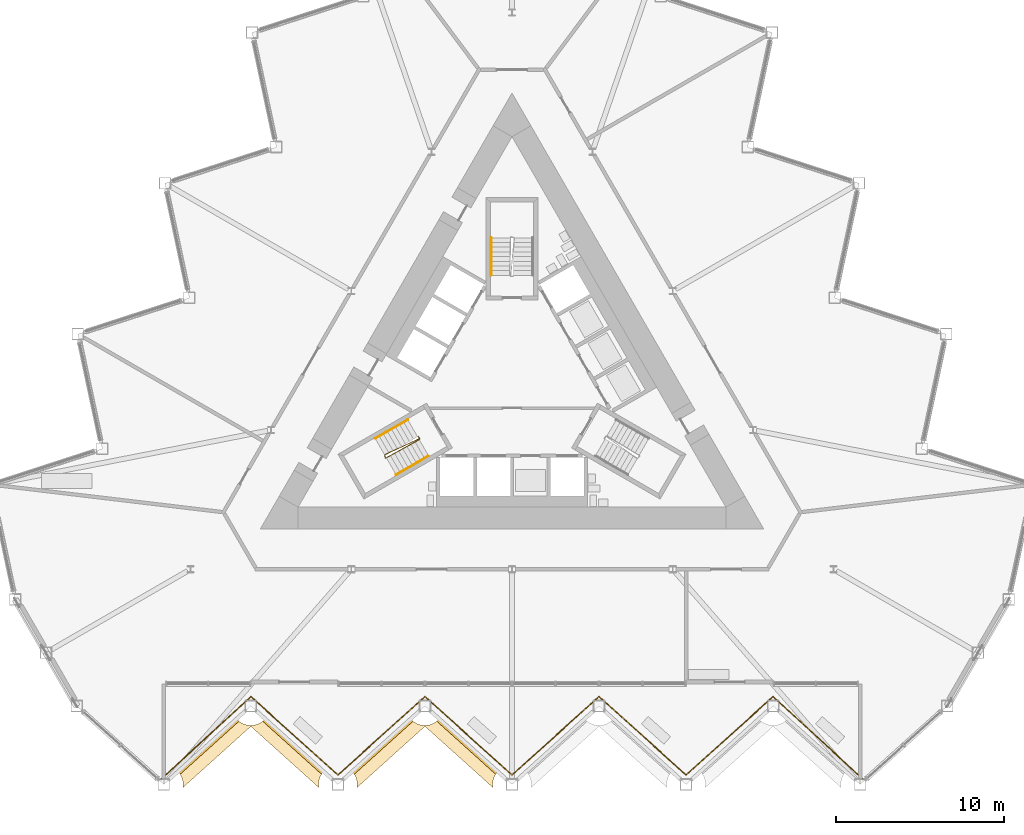
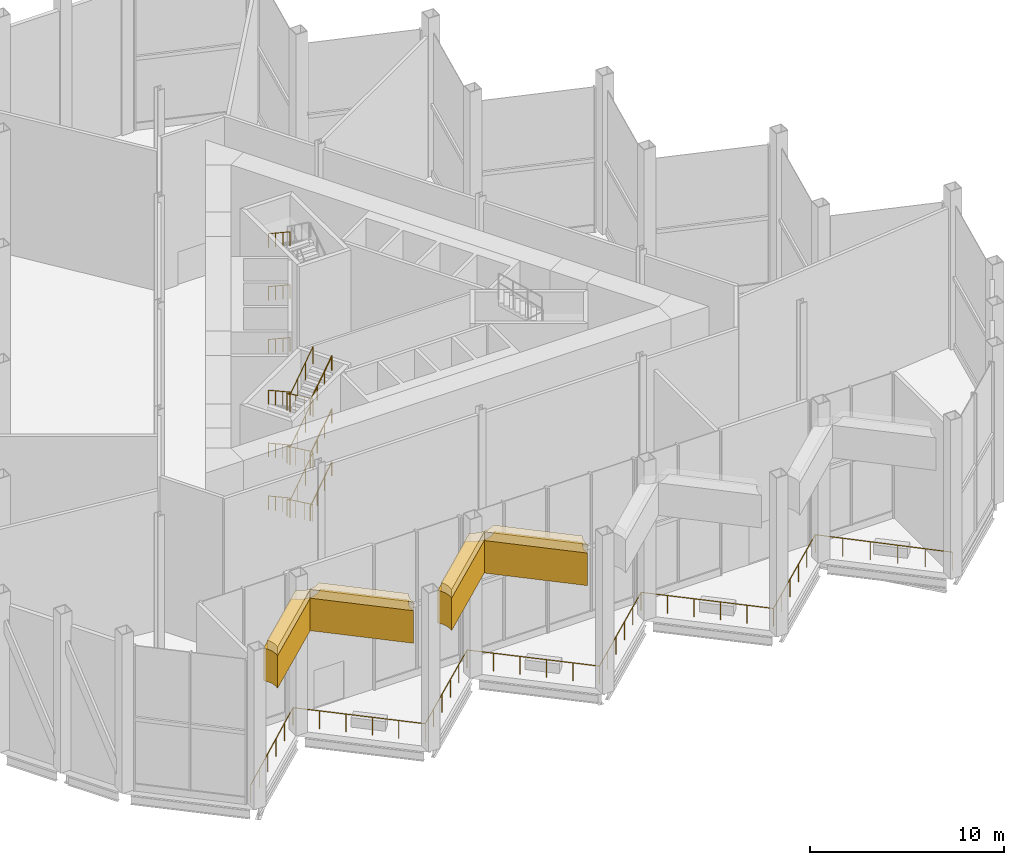
# One storey, part 14 of 17: 11 railings, 4 coverings.
"""IFC4 building model written with IfcOpenShell, lengths in metres."""

from ifc_helpers import new_model, si_unit, direction, frame, origin, origin_2d, place, context, subcontext, project, spatial, polyline, circle, outline, extrude, material, layer, layer_set, type_object, element, save


model = new_model("IFC4")

# Units and contexts
model_context = context("Model", 3, precision=1e-05, world=origin(), true_north=direction((0.0, 1.0)))
body_context = subcontext(model_context, "Body", "Model", "MODEL_VIEW")
ifc_project = project(units=[si_unit("LENGTHUNIT", "METRE"), si_unit("AREAUNIT", "SQUARE_METRE"), si_unit("VOLUMEUNIT", "CUBIC_METRE"), si_unit("PLANEANGLEUNIT", "RADIAN"), si_unit("MASSUNIT", "GRAM", prefix="KILO")], contexts=[model_context])

# Site, building, storey
site_placement = place(None, origin())
site = spatial("IfcSite", under=ifc_project, at=site_placement, CompositionType="ELEMENT")
building_placement = place(site_placement, origin())
building = spatial("IfcBuilding", under=site, at=building_placement, Name="Cormorant Prow Tower", CompositionType="ELEMENT")
storey_placement = place(building_placement, frame((0.0, 0.0, 277.800048828125)))
storey = spatial("IfcBuildingStorey", under=building, at=storey_placement, Name="L63", CompositionType="ELEMENT", Elevation=277.800048828125)

# Railings
ifc_material_1 = material(Name="Stainless steel", Category="steel")
railing_type_1 = type_object("IfcRailingType", Name="Stair guard 1100", PredefinedType="GUARDRAIL", material=ifc_material_1)
railing_1_placement = place(storey_placement, frame((-5.585205078125, -3.137939453125, 0.0)))
element("IfcRailing", 1, at=railing_1_placement, inside=storey, type_object=railing_type_1, Name="L63 ST1 stair guard 1", PredefinedType="GUARDRAIL", context=body_context, shape_type="SweptSolid", body=[
    extrude(circle(Radius=0.02392578125, at=origin_2d()), frame((0.0, 0.0, 1.076171875), z_axis=(0.501036270542, -0.865426285481, 0.0), x_axis=(0.865426285481, 0.501036270542, 0.0)), (0.0, 0.0, 1.0), 0.150146484375),
    extrude(circle(Radius=0.02392578125, at=origin_2d()), frame((0.0751953125, -0.1298828125, 1.076171875), z_axis=(-0.733711829474, -0.342307136193, 0.586935069494), x_axis=(0.422792438952, -0.906226546491, 0.0)), (0.0, 0.0, 1.0), 2.83935546875),
    extrude(circle(Radius=0.02392578125, at=origin_2d()), frame((-2.008056640625, -1.101806640625, 2.74267578125), z_axis=(0.275034262293, -0.961434425515, 0.0), x_axis=(0.961434425515, 0.275034262293, 0.0)), (0.0, 0.0, 1.0), 0.2060546875),
    extrude(circle(Radius=0.02392578125, at=origin_2d()), frame((-1.951416015625, -1.2998046875, 2.74267578125), z_axis=(0.708945260141, 0.388859836343, 0.588374579502), x_axis=(-0.480911908544, 0.87676891837, 0.0)), (0.0, 0.0, 1.0), 2.832763671875),
    extrude(circle(Radius=0.02392578125, at=origin_2d()), frame((0.056884765625, -0.1982421875, 4.4091796875), z_axis=(0.258736085224, 0.965948051503, 0.0), x_axis=(-0.965948051503, 0.258736085224, 0.0)), (0.0, 0.0, 1.0), 0.07080078125),
    extrude(circle(Radius=0.02392578125, at=origin_2d()), frame((0.0751953125, -0.1298828125, 4.4091796875), z_axis=(-0.733674800789, -0.342289860769, 0.586991429156), x_axis=(0.422792438952, -0.906226546491, 0.0)), (0.0, 0.0, 1.0), 2.83935546875),
    extrude(circle(Radius=0.02392578125, at=origin_2d()), frame((-2.008056640625, -1.101806640625, 6.076171875), z_axis=(0.275034262293, -0.961434425515, 0.0), x_axis=(0.961434425515, 0.275034262293, 0.0)), (0.0, 0.0, 1.0), 0.2060546875),
    extrude(circle(Radius=0.02392578125, at=origin_2d()), frame((-1.951416015625, -1.2998046875, 6.076171875), z_axis=(0.708981209556, 0.388879554767, 0.588318227137), x_axis=(-0.480911908544, 0.87676891837, 0.0)), (0.0, 0.0, 1.0), 2.832763671875),
    extrude(circle(Radius=0.02392578125, at=origin_2d()), frame((0.056884765625, -0.1982421875, 7.74267578125), z_axis=(0.258736085224, 0.965948051503, 0.0), x_axis=(-0.965948051503, 0.258736085224, 0.0)), (0.0, 0.0, 1.0), 0.07080078125),
    extrude(circle(Radius=0.02392578125, at=origin_2d()), frame((0.0751953125, -0.1298828125, 7.74267578125), z_axis=(-0.733674800789, -0.342289860769, 0.586991429156), x_axis=(0.422792438952, -0.906226546491, 0.0)), (0.0, 0.0, 1.0), 2.83935546875),
    extrude(circle(Radius=0.02392578125, at=origin_2d()), frame((-2.008056640625, -1.101806640625, 9.4091796875), z_axis=(0.275034262293, -0.961434425515, 0.0), x_axis=(0.961434425515, 0.275034262293, 0.0)), (0.0, 0.0, 1.0), 0.2060546875),
    extrude(circle(Radius=0.02392578125, at=origin_2d()), frame((-1.951416015625, -1.2998046875, 9.4091796875), z_axis=(0.708945260141, 0.388859836343, 0.588374579502), x_axis=(-0.480911908544, 0.87676891837, 0.0)), (0.0, 0.0, 1.0), 2.832763671875),
    extrude(circle(Radius=0.02099609375, at=origin_2d()), origin(), (0.0, 0.0, 1.0), 1.052001953125),
    extrude(circle(Radius=0.02099609375, at=origin_2d()), frame((0.0751953125, -0.1298828125, 0.0)), (0.0, 0.0, 1.0), 1.052001953125),
    extrude(circle(Radius=0.02099609375, at=origin_2d()), frame((-0.619140625, -0.453857421875, 0.555419921875)), (0.0, 0.0, 1.0), 1.052001953125),
    extrude(circle(Radius=0.02099609375, at=origin_2d()), frame((-1.313720703125, -0.77783203125, 1.111083984375)), (0.0, 0.0, 1.0), 1.052001953125),
    extrude(circle(Radius=0.02099609375, at=origin_2d()), frame((-2.008056640625, -1.101806640625, 1.66650390625)), (0.0, 0.0, 1.0), 1.052001953125),
    extrude(circle(Radius=0.02099609375, at=origin_2d()), frame((-1.951416015625, -1.2998046875, 1.66650390625)), (0.0, 0.0, 1.0), 1.052001953125),
    extrude(circle(Radius=0.02099609375, at=origin_2d()), frame((-1.281982421875, -0.9326171875, 2.22216796875)), (0.0, 0.0, 1.0), 1.052001953125),
    extrude(circle(Radius=0.02099609375, at=origin_2d()), frame((-0.612548828125, -0.5654296875, 2.777587890625)), (0.0, 0.0, 1.0), 1.052001953125),
    extrude(circle(Radius=0.02099609375, at=origin_2d()), frame((0.056884765625, -0.1982421875, 3.333251953125)), (0.0, 0.0, 1.0), 1.052001953125),
    extrude(circle(Radius=0.02099609375, at=origin_2d()), frame((0.0751953125, -0.1298828125, 3.333251953125)), (0.0, 0.0, 1.0), 1.052001953125),
    extrude(circle(Radius=0.02099609375, at=origin_2d()), frame((-0.619140625, -0.453857421875, 3.888916015625)), (0.0, 0.0, 1.0), 1.052001953125),
    extrude(circle(Radius=0.02099609375, at=origin_2d()), frame((-1.313720703125, -0.77783203125, 4.4443359375)), (0.0, 0.0, 1.0), 1.052001953125),
    extrude(circle(Radius=0.02099609375, at=origin_2d()), frame((-2.008056640625, -1.101806640625, 5.0)), (0.0, 0.0, 1.0), 1.052001953125),
    extrude(circle(Radius=0.02099609375, at=origin_2d()), frame((-1.951416015625, -1.2998046875, 5.0)), (0.0, 0.0, 1.0), 1.052001953125),
    extrude(circle(Radius=0.02099609375, at=origin_2d()), frame((-1.281982421875, -0.9326171875, 5.555419921875)), (0.0, 0.0, 1.0), 1.052001953125),
    extrude(circle(Radius=0.02099609375, at=origin_2d()), frame((-0.612548828125, -0.5654296875, 6.111083984375)), (0.0, 0.0, 1.0), 1.052001953125),
    extrude(circle(Radius=0.02099609375, at=origin_2d()), frame((0.056884765625, -0.1982421875, 6.66650390625)), (0.0, 0.0, 1.0), 1.052001953125),
    extrude(circle(Radius=0.02099609375, at=origin_2d()), frame((0.0751953125, -0.1298828125, 6.66650390625)), (0.0, 0.0, 1.0), 1.052001953125),
    extrude(circle(Radius=0.02099609375, at=origin_2d()), frame((-0.619140625, -0.453857421875, 7.22216796875)), (0.0, 0.0, 1.0), 1.052001953125),
    extrude(circle(Radius=0.02099609375, at=origin_2d()), frame((-1.313720703125, -0.77783203125, 7.777587890625)), (0.0, 0.0, 1.0), 1.052001953125),
    extrude(circle(Radius=0.02099609375, at=origin_2d()), frame((-2.008056640625, -1.101806640625, 8.333251953125)), (0.0, 0.0, 1.0), 1.052001953125),
    extrude(circle(Radius=0.02099609375, at=origin_2d()), frame((-1.951416015625, -1.2998046875, 8.333251953125)), (0.0, 0.0, 1.0), 1.052001953125),
    extrude(circle(Radius=0.02099609375, at=origin_2d()), frame((-1.281982421875, -0.9326171875, 8.888916015625)), (0.0, 0.0, 1.0), 1.052001953125),
    extrude(circle(Radius=0.02099609375, at=origin_2d()), frame((-0.612548828125, -0.5654296875, 9.4443359375)), (0.0, 0.0, 1.0), 1.052001953125),
    extrude(circle(Radius=0.02099609375, at=origin_2d()), frame((0.056884765625, -0.1982421875, 10.0)), (0.0, 0.0, 1.0), 1.052001953125),
])
ifc_material_2 = material(Name="Stainless steel", Category="steel")
railing_type_2 = type_object("IfcRailingType", Name="Stair handrail 900", PredefinedType="HANDRAIL", material=ifc_material_2)
railing_2_placement = place(storey_placement, frame((-6.212890625, -2.150634765625, 0.18505859375)))
element("IfcRailing", 2, at=railing_2_placement, inside=storey, type_object=railing_type_2, Name="L63 ST1 stair handrail 1", PredefinedType="HANDRAIL", context=body_context, shape_type="SweptSolid", body=[
    extrude(circle(Radius=0.02392578125, at=origin_2d()), frame((0.0, 0.0, 0.8759765625), z_axis=(-0.722363311002, -0.416999812178, 0.551636115172), x_axis=(0.49994888933, -0.866054910533, 0.0)), (0.0, 0.0, 1.0), 2.685546875),
    extrude(circle(Radius=0.02099609375, at=origin_2d()), origin(), (0.0, 0.0, 1.0), 0.851806640625),
    extrude(circle(Radius=0.02099609375, at=origin_2d()), frame((-0.646728515625, -0.373291015625, 0.493896484375)), (0.0, 0.0, 1.0), 0.851806640625),
    extrude(circle(Radius=0.02099609375, at=origin_2d()), frame((-1.293212890625, -0.74658203125, 0.987548828125)), (0.0, 0.0, 1.0), 0.851806640625),
    extrude(circle(Radius=0.02099609375, at=origin_2d()), frame((-1.93994140625, -1.119873046875, 1.4814453125)), (0.0, 0.0, 1.0), 0.851806640625),
])
railing_3_placement = place(storey_placement, frame((-6.90869140625, -5.42529296875, 1.851806640625)))
element("IfcRailing", 3, at=railing_3_placement, inside=storey, type_object=railing_type_2, Name="L63 ST1 stair handrail 2", PredefinedType="HANDRAIL", context=body_context, shape_type="SweptSolid", body=[
    extrude(circle(Radius=0.02392578125, at=origin_2d()), frame((0.0, 0.0, 0.8759765625), z_axis=(0.72229244732, 0.417102296828, 0.551651424838), x_axis=(-0.500077830873, 0.865980463445, 0.0)), (0.0, 0.0, 1.0), 2.685546875),
    extrude(circle(Radius=0.02099609375, at=origin_2d()), origin(), (0.0, 0.0, 1.0), 0.851806640625),
    extrude(circle(Radius=0.02099609375, at=origin_2d()), frame((0.646484375, 0.373291015625, 0.493896484375)), (0.0, 0.0, 1.0), 0.851806640625),
    extrude(circle(Radius=0.02099609375, at=origin_2d()), frame((1.293212890625, 0.746826171875, 0.987548828125)), (0.0, 0.0, 1.0), 0.851806640625),
    extrude(circle(Radius=0.02099609375, at=origin_2d()), frame((1.939697265625, 1.1201171875, 1.4814453125)), (0.0, 0.0, 1.0), 0.851806640625),
])
railing_4_placement = place(storey_placement, frame((-6.212890625, -2.150634765625, 3.5185546875)))
element("IfcRailing", 4, at=railing_4_placement, inside=storey, type_object=railing_type_2, Name="L63 ST1 stair handrail 3", PredefinedType="HANDRAIL", context=body_context, shape_type="SweptSolid", body=[
    extrude(circle(Radius=0.02392578125, at=origin_2d()), frame((0.0, 0.0, 0.8759765625), z_axis=(-0.722363311002, -0.416999812178, 0.551636115172), x_axis=(0.49994888933, -0.866054910533, 0.0)), (0.0, 0.0, 1.0), 2.685546875),
    extrude(circle(Radius=0.02099609375, at=origin_2d()), origin(), (0.0, 0.0, 1.0), 0.851806640625),
    extrude(circle(Radius=0.02099609375, at=origin_2d()), frame((-0.646728515625, -0.373291015625, 0.493896484375)), (0.0, 0.0, 1.0), 0.851806640625),
    extrude(circle(Radius=0.02099609375, at=origin_2d()), frame((-1.293212890625, -0.74658203125, 0.987548828125)), (0.0, 0.0, 1.0), 0.851806640625),
    extrude(circle(Radius=0.02099609375, at=origin_2d()), frame((-1.93994140625, -1.119873046875, 1.4814453125)), (0.0, 0.0, 1.0), 0.851806640625),
])
railing_5_placement = place(storey_placement, frame((-6.90869140625, -5.42529296875, 5.18505859375)))
element("IfcRailing", 5, at=railing_5_placement, inside=storey, type_object=railing_type_2, Name="L63 ST1 stair handrail 4", PredefinedType="HANDRAIL", context=body_context, shape_type="SweptSolid", body=[
    extrude(circle(Radius=0.02392578125, at=origin_2d()), frame((0.0, 0.0, 0.8759765625), z_axis=(0.72229244732, 0.417102296828, 0.551651424838), x_axis=(-0.500077830873, 0.865980463445, 0.0)), (0.0, 0.0, 1.0), 2.685546875),
    extrude(circle(Radius=0.02099609375, at=origin_2d()), origin(), (0.0, 0.0, 1.0), 0.851806640625),
    extrude(circle(Radius=0.02099609375, at=origin_2d()), frame((0.646484375, 0.373291015625, 0.493896484375)), (0.0, 0.0, 1.0), 0.851806640625),
    extrude(circle(Radius=0.02099609375, at=origin_2d()), frame((1.293212890625, 0.746826171875, 0.987548828125)), (0.0, 0.0, 1.0), 0.851806640625),
    extrude(circle(Radius=0.02099609375, at=origin_2d()), frame((1.939697265625, 1.1201171875, 1.4814453125)), (0.0, 0.0, 1.0), 0.851806640625),
])
railing_6_placement = place(storey_placement, frame((-6.212890625, -2.150634765625, 6.851806640625)))
element("IfcRailing", 6, at=railing_6_placement, inside=storey, type_object=railing_type_2, Name="L63 ST1 stair handrail 5", PredefinedType="HANDRAIL", context=body_context, shape_type="SweptSolid", body=[
    extrude(circle(Radius=0.02392578125, at=origin_2d()), frame((0.0, 0.0, 0.8759765625), z_axis=(-0.722363311002, -0.416999812178, 0.551636115172), x_axis=(0.49994888933, -0.866054910533, 0.0)), (0.0, 0.0, 1.0), 2.685546875),
    extrude(circle(Radius=0.02099609375, at=origin_2d()), origin(), (0.0, 0.0, 1.0), 0.851806640625),
    extrude(circle(Radius=0.02099609375, at=origin_2d()), frame((-0.646728515625, -0.373291015625, 0.493896484375)), (0.0, 0.0, 1.0), 0.851806640625),
    extrude(circle(Radius=0.02099609375, at=origin_2d()), frame((-1.293212890625, -0.74658203125, 0.987548828125)), (0.0, 0.0, 1.0), 0.851806640625),
    extrude(circle(Radius=0.02099609375, at=origin_2d()), frame((-1.93994140625, -1.119873046875, 1.4814453125)), (0.0, 0.0, 1.0), 0.851806640625),
])
railing_7_placement = place(storey_placement, frame((-6.90869140625, -5.42529296875, 8.5185546875)))
element("IfcRailing", 7, at=railing_7_placement, inside=storey, type_object=railing_type_2, Name="L63 ST1 stair handrail 6", PredefinedType="HANDRAIL", context=body_context, shape_type="SweptSolid", body=[
    extrude(circle(Radius=0.02392578125, at=origin_2d()), frame((0.0, 0.0, 0.8759765625), z_axis=(0.72229244732, 0.417102296828, 0.551651424838), x_axis=(-0.500077830873, 0.865980463445, 0.0)), (0.0, 0.0, 1.0), 2.685546875),
    extrude(circle(Radius=0.02099609375, at=origin_2d()), origin(), (0.0, 0.0, 1.0), 0.851806640625),
    extrude(circle(Radius=0.02099609375, at=origin_2d()), frame((0.646484375, 0.373291015625, 0.493896484375)), (0.0, 0.0, 1.0), 0.851806640625),
    extrude(circle(Radius=0.02099609375, at=origin_2d()), frame((1.293212890625, 0.746826171875, 0.987548828125)), (0.0, 0.0, 1.0), 0.851806640625),
    extrude(circle(Radius=0.02099609375, at=origin_2d()), frame((1.939697265625, 1.1201171875, 1.4814453125)), (0.0, 0.0, 1.0), 0.851806640625),
])
for number, where, name in (
    (8, (-1.243896484375, 8.69580078125, 1.851806640625), "L63 ST3 stair handrail 2"),
    (9, (-1.243896484375, 8.69580078125, 5.18505859375), "L63 ST3 stair handrail 4"),
    (10, (-1.243896484375, 8.69580078125, 8.5185546875), "L63 ST3 stair handrail 6"),
):
    element("IfcRailing", number, at=place(storey_placement, frame(where)), inside=storey, type_object=railing_type_2, Name=name, PredefinedType="HANDRAIL", context=body_context, shape_type="SweptSolid", body=[
        extrude(circle(Radius=0.02392578125, at=origin_2d()), frame((0.0, 0.0, 0.8759765625), z_axis=(0.0, -0.83408660425, 0.551633516577), x_axis=(1.0, 0.0, 0.0)), (0.0, 0.0, 1.0), 2.685546875),
        extrude(circle(Radius=0.02099609375, at=origin_2d()), origin(), (0.0, 0.0, 1.0), 0.851806640625),
        extrude(circle(Radius=0.02099609375, at=origin_2d()), frame((0.0, -0.74658203125, 0.493896484375)), (0.0, 0.0, 1.0), 0.851806640625),
        extrude(circle(Radius=0.02099609375, at=origin_2d()), frame((0.0, -1.493408203125, 0.987548828125)), (0.0, 0.0, 1.0), 0.851806640625),
        extrude(circle(Radius=0.02099609375, at=origin_2d()), frame((0.0, -2.239990234375, 1.4814453125)), (0.0, 0.0, 1.0), 0.851806640625),
    ])
ifc_material_3 = material(Name="Aluminium 6063-T6", Category="aluminium")
railing_type_3 = type_object("IfcRailingType", Name="Terrace guard 1150", PredefinedType="GUARDRAIL", material=ifc_material_3)
railing_8_placement = place(storey_placement, frame((-20.924072265625, -23.57470703125, 0.0)))
element("IfcRailing", 11, at=railing_8_placement, inside=storey, type_object=railing_type_3, Name="Terrace guard S", PredefinedType="GUARDRAIL", context=body_context, shape_type="SweptSolid", body=[
    extrude(circle(Radius=0.02392578125, at=origin_2d()), frame((0.0, 0.0, 1.1259765625), z_axis=(0.736346039127, 0.676605136444, 0.0), x_axis=(-0.676605136444, 0.736346039127, 0.0)), (0.0, 0.0, 1.0), 7.2783203125),
    extrude(circle(Radius=0.02392578125, at=origin_2d()), frame((5.359375, 4.924560546875, 1.1259765625), z_axis=(0.743135893499, -0.669140526192, 0.0), x_axis=(0.669140526192, 0.743135893499, 0.0)), (0.0, 0.0, 1.0), 6.9814453125),
    extrude(circle(Radius=0.02392578125, at=origin_2d()), frame((10.547607421875, 0.2529296875, 1.1259765625), z_axis=(0.743135893499, 0.669140526192, 0.0), x_axis=(-0.669140526192, 0.743135893499, 0.0)), (0.0, 0.0, 1.0), 6.9814453125),
    extrude(circle(Radius=0.02392578125, at=origin_2d()), frame((15.73583984375, 4.924560546875, 1.1259765625), z_axis=(0.743135893499, -0.669140526192, 0.0), x_axis=(0.669140526192, 0.743135893499, 0.0)), (0.0, 0.0, 1.0), 6.9814453125),
    extrude(circle(Radius=0.02392578125, at=origin_2d()), frame((20.924072265625, 0.2529296875, 1.1259765625), z_axis=(0.743135893499, 0.669140526192, 0.0), x_axis=(-0.669140526192, 0.743135893499, 0.0)), (0.0, 0.0, 1.0), 6.9814453125),
    extrude(circle(Radius=0.02392578125, at=origin_2d()), frame((26.1123046875, 4.924560546875, 1.1259765625), z_axis=(0.743135893499, -0.669140526192, 0.0), x_axis=(0.669140526192, 0.743135893499, 0.0)), (0.0, 0.0, 1.0), 6.9814453125),
    extrude(circle(Radius=0.02392578125, at=origin_2d()), frame((31.300537109375, 0.2529296875, 1.1259765625), z_axis=(0.743135893499, 0.669140526192, 0.0), x_axis=(-0.669140526192, 0.743135893499, 0.0)), (0.0, 0.0, 1.0), 6.9814453125),
    extrude(circle(Radius=0.02392578125, at=origin_2d()), frame((36.48876953125, 4.924560546875, 1.1259765625), z_axis=(0.736346039127, -0.676605136444, 0.0), x_axis=(0.676605136444, 0.736346039127, 0.0)), (0.0, 0.0, 1.0), 7.2783203125),
    extrude(circle(Radius=0.02099609375, at=origin_2d()), origin(), (0.0, 0.0, 1.0), 1.101806640625),
    extrude(circle(Radius=0.02099609375, at=origin_2d()), frame((1.07177734375, 0.98486328125, 0.0)), (0.0, 0.0, 1.0), 1.101806640625),
    extrude(circle(Radius=0.02099609375, at=origin_2d()), frame((2.143798828125, 1.9697265625, 0.0)), (0.0, 0.0, 1.0), 1.101806640625),
    extrude(circle(Radius=0.02099609375, at=origin_2d()), frame((3.215576171875, 2.954833984375, 0.0)), (0.0, 0.0, 1.0), 1.101806640625),
    extrude(circle(Radius=0.02099609375, at=origin_2d()), frame((4.28759765625, 3.939697265625, 0.0)), (0.0, 0.0, 1.0), 1.101806640625),
    extrude(circle(Radius=0.02099609375, at=origin_2d()), frame((5.359375, 4.924560546875, 0.0)), (0.0, 0.0, 1.0), 1.101806640625),
    extrude(circle(Radius=0.02099609375, at=origin_2d()), frame((6.39697265625, 3.990234375, 0.0)), (0.0, 0.0, 1.0), 1.101806640625),
    extrude(circle(Radius=0.02099609375, at=origin_2d()), frame((7.4345703125, 3.055908203125, 0.0)), (0.0, 0.0, 1.0), 1.101806640625),
    extrude(circle(Radius=0.02099609375, at=origin_2d()), frame((8.472412109375, 2.12158203125, 0.0)), (0.0, 0.0, 1.0), 1.101806640625),
    extrude(circle(Radius=0.02099609375, at=origin_2d()), frame((9.510009765625, 1.187255859375, 0.0)), (0.0, 0.0, 1.0), 1.101806640625),
    extrude(circle(Radius=0.02099609375, at=origin_2d()), frame((10.547607421875, 0.2529296875, 0.0)), (0.0, 0.0, 1.0), 1.101806640625),
    extrude(circle(Radius=0.02099609375, at=origin_2d()), frame((11.585205078125, 1.187255859375, 0.0)), (0.0, 0.0, 1.0), 1.101806640625),
    extrude(circle(Radius=0.02099609375, at=origin_2d()), frame((12.622802734375, 2.12158203125, 0.0)), (0.0, 0.0, 1.0), 1.101806640625),
    extrude(circle(Radius=0.02099609375, at=origin_2d()), frame((13.66064453125, 3.055908203125, 0.0)), (0.0, 0.0, 1.0), 1.101806640625),
    extrude(circle(Radius=0.02099609375, at=origin_2d()), frame((14.6982421875, 3.990234375, 0.0)), (0.0, 0.0, 1.0), 1.101806640625),
    extrude(circle(Radius=0.02099609375, at=origin_2d()), frame((15.73583984375, 4.924560546875, 0.0)), (0.0, 0.0, 1.0), 1.101806640625),
    extrude(circle(Radius=0.02099609375, at=origin_2d()), frame((16.7734375, 3.990234375, 0.0)), (0.0, 0.0, 1.0), 1.101806640625),
    extrude(circle(Radius=0.02099609375, at=origin_2d()), frame((17.81103515625, 3.055908203125, 0.0)), (0.0, 0.0, 1.0), 1.101806640625),
    extrude(circle(Radius=0.02099609375, at=origin_2d()), frame((18.848876953125, 2.12158203125, 0.0)), (0.0, 0.0, 1.0), 1.101806640625),
    extrude(circle(Radius=0.02099609375, at=origin_2d()), frame((19.886474609375, 1.187255859375, 0.0)), (0.0, 0.0, 1.0), 1.101806640625),
    extrude(circle(Radius=0.02099609375, at=origin_2d()), frame((20.924072265625, 0.2529296875, 0.0)), (0.0, 0.0, 1.0), 1.101806640625),
    extrude(circle(Radius=0.02099609375, at=origin_2d()), frame((21.961669921875, 1.187255859375, 0.0)), (0.0, 0.0, 1.0), 1.101806640625),
    extrude(circle(Radius=0.02099609375, at=origin_2d()), frame((22.999267578125, 2.12158203125, 0.0)), (0.0, 0.0, 1.0), 1.101806640625),
    extrude(circle(Radius=0.02099609375, at=origin_2d()), frame((24.037109375, 3.055908203125, 0.0)), (0.0, 0.0, 1.0), 1.101806640625),
    extrude(circle(Radius=0.02099609375, at=origin_2d()), frame((25.07470703125, 3.990234375, 0.0)), (0.0, 0.0, 1.0), 1.101806640625),
    extrude(circle(Radius=0.02099609375, at=origin_2d()), frame((26.1123046875, 4.924560546875, 0.0)), (0.0, 0.0, 1.0), 1.101806640625),
    extrude(circle(Radius=0.02099609375, at=origin_2d()), frame((27.14990234375, 3.990234375, 0.0)), (0.0, 0.0, 1.0), 1.101806640625),
    extrude(circle(Radius=0.02099609375, at=origin_2d()), frame((28.1875, 3.055908203125, 0.0)), (0.0, 0.0, 1.0), 1.101806640625),
    extrude(circle(Radius=0.02099609375, at=origin_2d()), frame((29.225341796875, 2.12158203125, 0.0)), (0.0, 0.0, 1.0), 1.101806640625),
    extrude(circle(Radius=0.02099609375, at=origin_2d()), frame((30.262939453125, 1.187255859375, 0.0)), (0.0, 0.0, 1.0), 1.101806640625),
    extrude(circle(Radius=0.02099609375, at=origin_2d()), frame((31.300537109375, 0.2529296875, 0.0)), (0.0, 0.0, 1.0), 1.101806640625),
    extrude(circle(Radius=0.02099609375, at=origin_2d()), frame((32.338134765625, 1.187255859375, 0.0)), (0.0, 0.0, 1.0), 1.101806640625),
    extrude(circle(Radius=0.02099609375, at=origin_2d()), frame((33.375732421875, 2.12158203125, 0.0)), (0.0, 0.0, 1.0), 1.101806640625),
    extrude(circle(Radius=0.02099609375, at=origin_2d()), frame((34.41357421875, 3.055908203125, 0.0)), (0.0, 0.0, 1.0), 1.101806640625),
    extrude(circle(Radius=0.02099609375, at=origin_2d()), frame((35.451171875, 3.990234375, 0.0)), (0.0, 0.0, 1.0), 1.101806640625),
    extrude(circle(Radius=0.02099609375, at=origin_2d()), frame((36.48876953125, 4.924560546875, 0.0)), (0.0, 0.0, 1.0), 1.101806640625),
    extrude(circle(Radius=0.02099609375, at=origin_2d()), frame((37.560546875, 3.939697265625, 0.0)), (0.0, 0.0, 1.0), 1.101806640625),
    extrude(circle(Radius=0.02099609375, at=origin_2d()), frame((38.632568359375, 2.954833984375, 0.0)), (0.0, 0.0, 1.0), 1.101806640625),
    extrude(circle(Radius=0.02099609375, at=origin_2d()), frame((39.704345703125, 1.9697265625, 0.0)), (0.0, 0.0, 1.0), 1.101806640625),
    extrude(circle(Radius=0.02099609375, at=origin_2d()), frame((40.7763671875, 0.98486328125, 0.0)), (0.0, 0.0, 1.0), 1.101806640625),
    extrude(circle(Radius=0.02099609375, at=origin_2d()), frame((41.84814453125, 0.0, 0.0)), (0.0, 0.0, 1.0), 1.101806640625),
])

# Coverings
ifc_material_4 = material(Name="Terracotta", Category="masonry")
ifc_layer = layer(ifc_material_4, 0.89990234375)
ifc_layer_set = layer_set([ifc_layer], Name="Terracotta")
covering_type = type_object("IfcCoveringType", Name="Terrace lintel fascia 900", PredefinedType="CLADDING", material=ifc_layer_set)
covering_1_placement = place(storey_placement, frame((0.0, 0.0, 7.050048828125)))
element("IfcCovering", 12, at=covering_1_placement, inside=storey, type_object=covering_type, Name="Terrace lintel L63 part 2", PredefinedType="CLADDING", context=body_context, shape_type="SweptSolid", body=[
    extrude(outline(polyline([(-11.22998046875, -23.118408203125), (-11.265380859375, -23.157470703125), (-11.332763671875, -23.248046875), (-11.390625, -23.3447265625), (-11.43896484375, -23.44677734375), (-11.47705078125, -23.552978515625), (-11.50439453125, -23.66259765625), (-11.52099609375, -23.774169921875), (-11.526611328125, -23.886962890625), (-11.52099609375, -23.99951171875), (-11.50927734375, -24.077880859375), (-15.564697265625, -20.426513671875), (-19.6201171875, -24.077880859375), (-19.6083984375, -23.99951171875), (-19.60302734375, -23.886962890625), (-19.6083984375, -23.774169921875), (-19.625, -23.66259765625), (-19.652587890625, -23.552978515625), (-19.6904296875, -23.44677734375), (-19.73876953125, -23.3447265625), (-19.796875, -23.248046875), (-19.864013671875, -23.157470703125), (-19.8994140625, -23.118408203125), (-16.418212890625, -19.98388671875), (-16.3779296875, -20.028564453125), (-16.294189453125, -20.1044921875), (-16.20361328125, -20.171630859375), (-16.106689453125, -20.2294921875), (-16.0048828125, -20.27783203125), (-15.8984375, -20.31591796875), (-15.7890625, -20.34326171875), (-15.677490234375, -20.35986328125), (-15.564697265625, -20.365478515625), (-15.451904296875, -20.35986328125), (-15.34033203125, -20.34326171875), (-15.23095703125, -20.31591796875), (-15.12451171875, -20.27783203125), (-15.022705078125, -20.2294921875), (-14.92578125, -20.171630859375), (-14.835205078125, -20.1044921875), (-14.75146484375, -20.028564453125), (-14.711181640625, -19.98388671875), (-11.22998046875, -23.118408203125)])), origin(), (0.0, 0.0, 1.0), 2.05078125),
])
covering_2_placement = place(storey_placement, frame((0.0, 0.0, 7.050048828125)))
element("IfcCovering", 13, at=covering_2_placement, inside=storey, type_object=covering_type, Name="Terrace lintel L63 part 3", PredefinedType="CLADDING", context=body_context, shape_type="SweptSolid", body=[
    extrude(outline(polyline([(-6.041748046875, -19.98388671875), (-6.00146484375, -20.028564453125), (-5.917724609375, -20.1044921875), (-5.8271484375, -20.171630859375), (-5.730224609375, -20.2294921875), (-5.62841796875, -20.27783203125), (-5.522216796875, -20.31591796875), (-5.41259765625, -20.34326171875), (-5.301025390625, -20.35986328125), (-5.188232421875, -20.365478515625), (-5.075439453125, -20.35986328125), (-4.9638671875, -20.34326171875), (-4.8544921875, -20.31591796875), (-4.748291015625, -20.27783203125), (-4.64599609375, -20.2294921875), (-4.54931640625, -20.171630859375), (-4.458740234375, -20.1044921875), (-4.375, -20.028564453125), (-4.334716796875, -19.98388671875), (-0.853515625, -23.118408203125), (-0.888916015625, -23.157470703125), (-0.956298828125, -23.248046875), (-1.01416015625, -23.3447265625), (-1.0625, -23.44677734375), (-1.1005859375, -23.552978515625), (-1.1279296875, -23.66259765625), (-1.14453125, -23.774169921875), (-1.14990234375, -23.886962890625), (-1.14453125, -23.99951171875), (-1.1328125, -24.077880859375), (-5.188232421875, -20.426513671875), (-9.24365234375, -24.077880859375), (-9.23193359375, -23.99951171875), (-9.2265625, -23.886962890625), (-9.23193359375, -23.774169921875), (-9.24853515625, -23.66259765625), (-9.27587890625, -23.552978515625), (-9.31396484375, -23.44677734375), (-9.3623046875, -23.3447265625), (-9.42041015625, -23.248046875), (-9.487548828125, -23.157470703125), (-9.52294921875, -23.118408203125), (-6.041748046875, -19.98388671875)])), origin(), (0.0, 0.0, 1.0), 2.05078125),
])
covering_3_placement = place(storey_placement, frame((0.0, 0.0, 9.100830078125)))
element("IfcCovering", 14, at=covering_3_placement, inside=storey, type_object=covering_type, Name="Terrace lintel L63 head part 2", PredefinedType="CLADDING", context=body_context, shape_type="SweptSolid", body=[
    extrude(outline(polyline([(-11.390625, -23.3447265625), (-11.43896484375, -23.44677734375), (-11.47705078125, -23.552978515625), (-11.50439453125, -23.66259765625), (-11.52099609375, -23.774169921875), (-11.526611328125, -23.886962890625), (-11.52099609375, -23.99951171875), (-11.50927734375, -24.077880859375), (-15.564697265625, -20.426513671875), (-19.6201171875, -24.077880859375), (-19.6083984375, -23.99951171875), (-19.60302734375, -23.886962890625), (-19.6083984375, -23.774169921875), (-19.625, -23.66259765625), (-19.652587890625, -23.552978515625), (-19.6904296875, -23.44677734375), (-19.73876953125, -23.3447265625), (-19.7783203125, -23.278564453125), (-16.271728515625, -20.12109375), (-16.20361328125, -20.171630859375), (-16.106689453125, -20.2294921875), (-16.0048828125, -20.27783203125), (-15.8984375, -20.31591796875), (-15.7890625, -20.34326171875), (-15.677490234375, -20.35986328125), (-15.564697265625, -20.365478515625), (-15.451904296875, -20.35986328125), (-15.34033203125, -20.34326171875), (-15.23095703125, -20.31591796875), (-15.12451171875, -20.27783203125), (-15.022705078125, -20.2294921875), (-14.92578125, -20.171630859375), (-14.857666015625, -20.12109375), (-11.35107421875, -23.278564453125), (-11.390625, -23.3447265625)])), origin(), (0.0, 0.0, 1.0), 0.549072265625),
])
covering_4_placement = place(storey_placement, frame((0.0, 0.0, 9.100830078125)))
element("IfcCovering", 15, at=covering_4_placement, inside=storey, type_object=covering_type, Name="Terrace lintel L63 head part 3", PredefinedType="CLADDING", context=body_context, shape_type="SweptSolid", body=[
    extrude(outline(polyline([(-5.8271484375, -20.171630859375), (-5.730224609375, -20.2294921875), (-5.62841796875, -20.27783203125), (-5.522216796875, -20.31591796875), (-5.41259765625, -20.34326171875), (-5.301025390625, -20.35986328125), (-5.188232421875, -20.365478515625), (-5.075439453125, -20.35986328125), (-4.9638671875, -20.34326171875), (-4.8544921875, -20.31591796875), (-4.748291015625, -20.27783203125), (-4.64599609375, -20.2294921875), (-4.54931640625, -20.171630859375), (-4.481201171875, -20.12109375), (-0.974609375, -23.278564453125), (-1.01416015625, -23.3447265625), (-1.0625, -23.44677734375), (-1.1005859375, -23.552978515625), (-1.1279296875, -23.66259765625), (-1.14453125, -23.774169921875), (-1.14990234375, -23.886962890625), (-1.14453125, -23.99951171875), (-1.1328125, -24.077880859375), (-5.188232421875, -20.426513671875), (-9.24365234375, -24.077880859375), (-9.23193359375, -23.99951171875), (-9.2265625, -23.886962890625), (-9.23193359375, -23.774169921875), (-9.24853515625, -23.66259765625), (-9.27587890625, -23.552978515625), (-9.31396484375, -23.44677734375), (-9.3623046875, -23.3447265625), (-9.402099609375, -23.278564453125), (-5.895263671875, -20.12109375), (-5.8271484375, -20.171630859375)])), origin(), (0.0, 0.0, 1.0), 0.549072265625),
])

save(model, "model.ifc")
